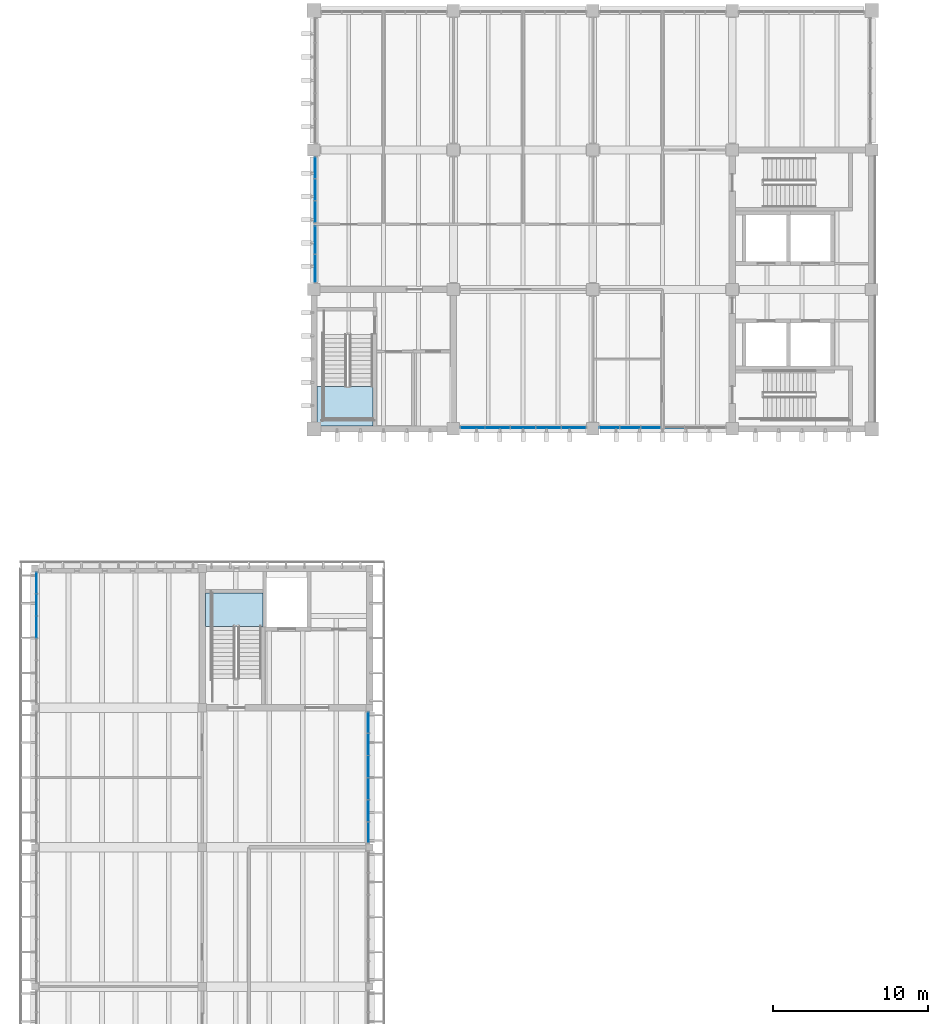
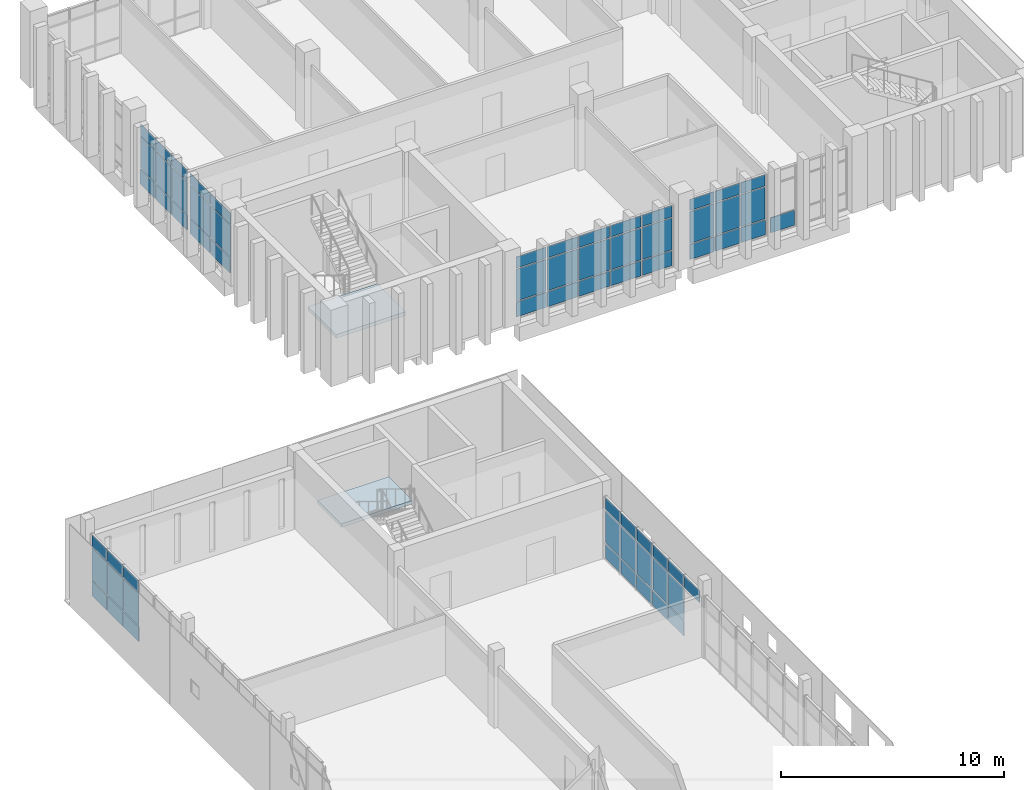
# One storey, part 26 of 50: 65 plates, 2 slabs, 9 elements without a shape of their own.
"""IFC4 building model written with IfcOpenShell, lengths in metres."""

from ifc_helpers import new_model, si_unit, direction, frame, origin, origin_2d, place, context, subcontext, project, spatial, polyline, rectangle, outline, extrude, material, layer, layer_set, type_object, element, aggregate, save


model = new_model("IFC4")

# Units and contexts
model_context = context("Model", 3, precision=1e-05, world=origin(), true_north=direction((0.0, 1.0)))
body_context = subcontext(model_context, "Body", "Model", "MODEL_VIEW")
ifc_project = project(units=[si_unit("LENGTHUNIT", "METRE"), si_unit("AREAUNIT", "SQUARE_METRE"), si_unit("VOLUMEUNIT", "CUBIC_METRE"), si_unit("PLANEANGLEUNIT", "RADIAN"), si_unit("MASSUNIT", "GRAM", prefix="KILO")], contexts=[model_context])

# Site, building, storey
site_placement = place(None, origin())
site = spatial("IfcSite", under=ifc_project, at=site_placement, CompositionType="ELEMENT")
building_placement = place(site_placement, origin())
building = spatial("IfcBuilding", under=site, at=building_placement, Name="Merrow Basin Faculty of Sciences", CompositionType="ELEMENT")
storey_placement = place(building_placement, frame((0.0, 0.0, 18.0)))
storey = spatial("IfcBuildingStorey", under=building, at=storey_placement, Name="L04", CompositionType="ELEMENT", Elevation=18.0)

# Curtain wall, plates
ifc_material_1 = material(Name="Aluminium alloy 6063", Category="aluminium")
curtain_wall_type_1 = type_object("IfcCurtainWallType", Name="Bar unitised curtain wall 180", PredefinedType="NOTDEFINED", material=ifc_material_1)
curtain_wall_1_placement = place(storey_placement, origin())
curtain_wall_1 = element("IfcCurtainWall", 1, at=curtain_wall_1_placement, inside=storey, type_object=curtain_wall_type_1, Name="West curtain wall L04 7", PredefinedType="NOTDEFINED")
ifc_material_2 = material(Name="Insulated aluminium spandrel panel", Category="aluminium")
ifc_layer_1 = layer(ifc_material_2, 0.052001953125)
ifc_layer_set_1 = layer_set([ifc_layer_1], Name="Insulated spandrel panel 52")
plate_type_1 = type_object("IfcPlateType", Name="Insulated spandrel panel 52", PredefinedType="CURTAIN_PANEL", material=ifc_layer_set_1)
plate_1_placement = place(storey_placement, frame((0.090087890625, 129.21240234375, 0.06005859375), z_axis=(0.0, 0.0, 1.0), x_axis=(0.0, 1.0, 0.0)))
plate_1 = element("IfcPlate", 2, at=plate_1_placement, type_object=plate_type_1, Name="CW1 panel 4.1", PredefinedType="CURTAIN_PANEL", context=body_context, shape_type="SweptSolid", body=[
    extrude(rectangle(XDim=1.364990234375, YDim=0.052001953125, at=origin_2d()), origin(), (0.0, 0.0, 1.0), 0.81005859375),
])
plate_2_placement = place(storey_placement, frame((0.090087890625, 130.637451171875, 0.06005859375), z_axis=(0.0, 0.0, 1.0), x_axis=(0.0, 1.0, 0.0)))
plate_2 = element("IfcPlate", 3, at=plate_2_placement, type_object=plate_type_1, Name="CW1 panel 5.1", PredefinedType="CURTAIN_PANEL", context=body_context, shape_type="SweptSolid", body=[
    extrude(rectangle(XDim=1.364990234375, YDim=0.052001953125, at=origin_2d()), origin(), (0.0, 0.0, 1.0), 0.81005859375),
])
plate_3_placement = place(storey_placement, frame((0.090087890625, 132.047607421875, 0.06005859375), z_axis=(0.0, 0.0, 1.0), x_axis=(0.0, 1.0, 0.0)))
plate_3 = element("IfcPlate", 4, at=plate_3_placement, type_object=plate_type_1, Name="CW1 panel 6.1", PredefinedType="CURTAIN_PANEL", context=body_context, shape_type="SweptSolid", body=[
    extrude(rectangle(XDim=1.3349609375, YDim=0.052001953125, at=origin_2d()), origin(), (0.0, 0.0, 1.0), 0.81005859375),
])

curtain_wall_2_placement = place(storey_placement, origin())
curtain_wall_2 = element("IfcCurtainWall", 5, at=curtain_wall_2_placement, inside=storey, type_object=curtain_wall_type_1, Name="East curtain wall L04 6", PredefinedType="NOTDEFINED")
plate_4_placement = place(storey_placement, frame((21.510009765625, 117.362548828125, 0.06005859375), z_axis=(0.0, 0.0, 1.0), x_axis=(0.0, 1.0, 0.0)))
plate_4 = element("IfcPlate", 6, at=plate_4_placement, type_object=plate_type_1, Name="CW1 panel 2.1", PredefinedType="CURTAIN_PANEL", context=body_context, shape_type="SweptSolid", body=[
    extrude(rectangle(XDim=1.364990234375, YDim=0.052001953125, at=origin_2d()), origin(), (0.0, 0.0, 1.0), 0.81005859375),
])
plate_5_placement = place(storey_placement, frame((21.510009765625, 118.78759765625, 0.06005859375), z_axis=(0.0, 0.0, 1.0), x_axis=(0.0, 1.0, 0.0)))
plate_5 = element("IfcPlate", 7, at=plate_5_placement, type_object=plate_type_1, Name="CW1 panel 3.1", PredefinedType="CURTAIN_PANEL", context=body_context, shape_type="SweptSolid", body=[
    extrude(rectangle(XDim=1.364990234375, YDim=0.052001953125, at=origin_2d()), origin(), (0.0, 0.0, 1.0), 0.81005859375),
])
plate_6_placement = place(storey_placement, frame((21.510009765625, 120.21240234375, 0.06005859375), z_axis=(0.0, 0.0, 1.0), x_axis=(0.0, 1.0, 0.0)))
plate_6 = element("IfcPlate", 8, at=plate_6_placement, type_object=plate_type_1, Name="CW1 panel 4.1", PredefinedType="CURTAIN_PANEL", context=body_context, shape_type="SweptSolid", body=[
    extrude(rectangle(XDim=1.364990234375, YDim=0.052001953125, at=origin_2d()), origin(), (0.0, 0.0, 1.0), 0.81005859375),
])
plate_7_placement = place(storey_placement, frame((21.510009765625, 121.637451171875, 0.06005859375), z_axis=(0.0, 0.0, 1.0), x_axis=(0.0, 1.0, 0.0)))
plate_7 = element("IfcPlate", 9, at=plate_7_placement, type_object=plate_type_1, Name="CW1 panel 5.1", PredefinedType="CURTAIN_PANEL", context=body_context, shape_type="SweptSolid", body=[
    extrude(rectangle(XDim=1.364990234375, YDim=0.052001953125, at=origin_2d()), origin(), (0.0, 0.0, 1.0), 0.81005859375),
])
plate_8_placement = place(storey_placement, frame((21.510009765625, 123.047607421875, 0.06005859375), z_axis=(0.0, 0.0, 1.0), x_axis=(0.0, 1.0, 0.0)))
plate_8 = element("IfcPlate", 10, at=plate_8_placement, type_object=plate_type_1, Name="CW1 panel 6.1", PredefinedType="CURTAIN_PANEL", context=body_context, shape_type="SweptSolid", body=[
    extrude(rectangle(XDim=1.3349609375, YDim=0.052001953125, at=origin_2d()), origin(), (0.0, 0.0, 1.0), 0.81005859375),
])

ifc_material_3 = material(Name="Aluminium alloy 6063", Category="aluminium")
curtain_wall_type_2 = type_object("IfcCurtainWallType", Name="Unitised curtain wall 160", PredefinedType="NOTDEFINED", material=ifc_material_3)
curtain_wall_3_placement = place(storey_placement, origin())
curtain_wall_3 = element("IfcCurtainWall", 11, at=curtain_wall_3_placement, inside=storey, type_object=curtain_wall_type_2, Name="W curtain wall L04 1", PredefinedType="NOTDEFINED")
plate_9_placement = place(storey_placement, frame((18.080078125, 152.34619140625, 0.06005859375), z_axis=(0.0, 0.0, 1.0), x_axis=(0.0, 1.0, 0.0)))
plate_9 = element("IfcPlate", 12, at=plate_9_placement, type_object=plate_type_1, Name="CW3 panel 1.1", PredefinedType="CURTAIN_PANEL", context=body_context, shape_type="SweptSolid", body=[
    extrude(rectangle(XDim=1.7724609375, YDim=0.052001953125, at=origin_2d()), origin(), (0.0, 0.0, 1.0), 0.81005859375),
])
plate_10_placement = place(storey_placement, frame((18.080078125, 154.1787109375, 0.06005859375), z_axis=(0.0, 0.0, 1.0), x_axis=(0.0, 1.0, 0.0)))
plate_10 = element("IfcPlate", 13, at=plate_10_placement, type_object=plate_type_1, Name="CW3 panel 2.1", PredefinedType="CURTAIN_PANEL", context=body_context, shape_type="SweptSolid", body=[
    extrude(rectangle(XDim=1.7724609375, YDim=0.052001953125, at=origin_2d()), origin(), (0.0, 0.0, 1.0), 0.81005859375),
])

curtain_wall_4_placement = place(storey_placement, origin())
curtain_wall_4 = element("IfcCurtainWall", 14, at=curtain_wall_4_placement, inside=storey, type_object=curtain_wall_type_2, Name="W curtain wall L04 2", PredefinedType="NOTDEFINED")
plate_11_placement = place(storey_placement, frame((18.080078125, 156.0107421875, 0.06005859375), z_axis=(0.0, 0.0, 1.0), x_axis=(0.0, 1.0, 0.0)))
plate_11 = element("IfcPlate", 15, at=plate_11_placement, type_object=plate_type_1, Name="CW3 panel 1.1", PredefinedType="CURTAIN_PANEL", context=body_context, shape_type="SweptSolid", body=[
    extrude(rectangle(XDim=1.3515625, YDim=0.052001953125, at=origin_2d()), origin(), (0.0, 0.0, 1.0), 0.81005859375),
])
plate_12_placement = place(storey_placement, frame((18.080078125, 157.4375, 0.06005859375), z_axis=(0.0, 0.0, 1.0), x_axis=(0.0, 1.0, 0.0)))
plate_12 = element("IfcPlate", 16, at=plate_12_placement, type_object=plate_type_1, Name="CW3 panel 2.1", PredefinedType="CURTAIN_PANEL", context=body_context, shape_type="SweptSolid", body=[
    extrude(rectangle(XDim=1.381591796875, YDim=0.052001953125, at=origin_2d()), origin(), (0.0, 0.0, 1.0), 0.81005859375),
])
plate_13_placement = place(storey_placement, frame((18.080078125, 158.8642578125, 0.06005859375), z_axis=(0.0, 0.0, 1.0), x_axis=(0.0, 1.0, 0.0)))
plate_13 = element("IfcPlate", 17, at=plate_13_placement, type_object=plate_type_1, Name="CW3 panel 3.1", PredefinedType="CURTAIN_PANEL", context=body_context, shape_type="SweptSolid", body=[
    extrude(rectangle(XDim=1.3515625, YDim=0.052001953125, at=origin_2d()), origin(), (0.0, 0.0, 1.0), 0.81005859375),
])

curtain_wall_5_placement = place(storey_placement, origin())
curtain_wall_5 = element("IfcCurtainWall", 18, at=curtain_wall_5_placement, inside=storey, type_object=curtain_wall_type_2, Name="S curtain wall L04 1", PredefinedType="NOTDEFINED")
plate_14_placement = place(storey_placement, frame((28.235107421875, 142.080078125, 0.06005859375), z_axis=(0.0, 0.0, 1.0), x_axis=(1.0, 0.0, 0.0)))
plate_14 = element("IfcPlate", 19, at=plate_14_placement, type_object=plate_type_1, Name="CW3 panel 1.1", PredefinedType="CURTAIN_PANEL", context=body_context, shape_type="SweptSolid", body=[
    extrude(rectangle(XDim=1.550048828125, YDim=0.052001953125, at=origin_2d()), origin(), (0.0, 0.0, 1.0), 0.81005859375),
])
plate_15_placement = place(storey_placement, frame((29.860107421875, 142.080078125, 0.06005859375), z_axis=(0.0, 0.0, 1.0), x_axis=(1.0, 0.0, 0.0)))
plate_15 = element("IfcPlate", 20, at=plate_15_placement, type_object=plate_type_1, Name="CW3 panel 2.1", PredefinedType="CURTAIN_PANEL", context=body_context, shape_type="SweptSolid", body=[
    extrude(rectangle(XDim=1.580078125, YDim=0.052001953125, at=origin_2d()), origin(), (0.0, 0.0, 1.0), 0.81005859375),
])
plate_16_placement = place(storey_placement, frame((31.5, 142.080078125, 0.06005859375), z_axis=(0.0, 0.0, 1.0), x_axis=(1.0, 0.0, 0.0)))
plate_16 = element("IfcPlate", 21, at=plate_16_placement, type_object=plate_type_1, Name="CW3 panel 3.1", PredefinedType="CURTAIN_PANEL", context=body_context, shape_type="SweptSolid", body=[
    extrude(rectangle(XDim=1.580078125, YDim=0.052001953125, at=origin_2d()), origin(), (0.0, 0.0, 1.0), 0.81005859375),
])
plate_17_placement = place(storey_placement, frame((33.139892578125, 142.080078125, 0.06005859375), z_axis=(0.0, 0.0, 1.0), x_axis=(1.0, 0.0, 0.0)))
plate_17 = element("IfcPlate", 22, at=plate_17_placement, type_object=plate_type_1, Name="CW3 panel 4.1", PredefinedType="CURTAIN_PANEL", context=body_context, shape_type="SweptSolid", body=[
    extrude(rectangle(XDim=1.580078125, YDim=0.052001953125, at=origin_2d()), origin(), (0.0, 0.0, 1.0), 0.81005859375),
])
plate_18_placement = place(storey_placement, frame((34.764892578125, 142.080078125, 0.06005859375), z_axis=(0.0, 0.0, 1.0), x_axis=(1.0, 0.0, 0.0)))
plate_18 = element("IfcPlate", 23, at=plate_18_placement, type_object=plate_type_1, Name="CW3 panel 5.1", PredefinedType="CURTAIN_PANEL", context=body_context, shape_type="SweptSolid", body=[
    extrude(rectangle(XDim=1.550048828125, YDim=0.052001953125, at=origin_2d()), origin(), (0.0, 0.0, 1.0), 0.81005859375),
])

curtain_wall_6_placement = place(storey_placement, origin())
curtain_wall_6 = element("IfcCurtainWall", 24, at=curtain_wall_6_placement, inside=storey, type_object=curtain_wall_type_2, Name="S curtain wall L04 2", PredefinedType="NOTDEFINED")
plate_19_placement = place(storey_placement, frame((37.0859375, 142.080078125, 0.06005859375), z_axis=(0.0, 0.0, 1.0), x_axis=(1.0, 0.0, 0.0)))
plate_19 = element("IfcPlate", 25, at=plate_19_placement, type_object=plate_type_1, Name="CW3 panel 1.1", PredefinedType="CURTAIN_PANEL", context=body_context, shape_type="SweptSolid", body=[
    extrude(rectangle(XDim=1.251708984375, YDim=0.052001953125, at=origin_2d()), origin(), (0.0, 0.0, 1.0), 0.81005859375),
])
plate_20_placement = place(storey_placement, frame((38.41259765625, 142.080078125, 0.06005859375), z_axis=(0.0, 0.0, 1.0), x_axis=(1.0, 0.0, 0.0)))
plate_20 = element("IfcPlate", 26, at=plate_20_placement, type_object=plate_type_1, Name="CW3 panel 2.1", PredefinedType="CURTAIN_PANEL", context=body_context, shape_type="SweptSolid", body=[
    extrude(rectangle(XDim=1.28173828125, YDim=0.052001953125, at=origin_2d()), origin(), (0.0, 0.0, 1.0), 0.81005859375),
])
plate_21_placement = place(storey_placement, frame((39.7392578125, 142.080078125, 0.06005859375), z_axis=(0.0, 0.0, 1.0), x_axis=(1.0, 0.0, 0.0)))
plate_21 = element("IfcPlate", 27, at=plate_21_placement, type_object=plate_type_1, Name="CW3 panel 3.1", PredefinedType="CURTAIN_PANEL", context=body_context, shape_type="SweptSolid", body=[
    extrude(rectangle(XDim=1.251708984375, YDim=0.052001953125, at=origin_2d()), origin(), (0.0, 0.0, 1.0), 0.81005859375),
])

# Curtain wall, plate
curtain_wall_7_placement = place(storey_placement, origin())
curtain_wall_7 = element("IfcCurtainWall", 28, at=curtain_wall_7_placement, inside=storey, type_object=curtain_wall_type_2, Name="S curtain wall L04 3", PredefinedType="NOTDEFINED")
plate_22_placement = place(storey_placement, frame((41.2607421875, 142.080078125, 0.06005859375), z_axis=(0.0, 0.0, 1.0), x_axis=(1.0, 0.0, 0.0)))
plate_22 = element("IfcPlate", 29, at=plate_22_placement, type_object=plate_type_1, Name="CW3 panel 1.1", PredefinedType="CURTAIN_PANEL", context=body_context, shape_type="SweptSolid", body=[
    extrude(rectangle(XDim=1.251708984375, YDim=0.052001953125, at=origin_2d()), origin(), (0.0, 0.0, 1.0), 0.81005859375),
])
aggregate(curtain_wall_7, [plate_22])

# Plate
ifc_material_4 = material(Name="Low-E double glazing", Category="glass")
ifc_layer_2 = layer(ifc_material_4, 0.028076171875)
ifc_layer_set_2 = layer_set([ifc_layer_2], Name="Low-E double glazed panel 28")
plate_type_2 = type_object("IfcPlateType", Name="Low-E double glazed panel 28", PredefinedType="CURTAIN_PANEL", material=ifc_layer_set_2)
plate_23_placement = place(storey_placement, frame((0.090087890625, 129.21240234375, 0.93017578125), z_axis=(0.0, 0.0, 1.0), x_axis=(0.0, 1.0, 0.0)))
plate_23 = element("IfcPlate", 30, at=plate_23_placement, type_object=plate_type_2, Name="CW1 panel 4.2", PredefinedType="CURTAIN_PANEL", context=body_context, shape_type="SweptSolid", body=[
    extrude(rectangle(XDim=1.364990234375, YDim=0.028076171875, at=origin_2d()), origin(), (0.0, 0.0, 1.0), 1.739990234375),
])

plate_24_placement = place(storey_placement, frame((0.090087890625, 129.21240234375, 2.72998046875), z_axis=(0.0, 0.0, 1.0), x_axis=(0.0, 1.0, 0.0)))
plate_24 = element("IfcPlate", 31, at=plate_24_placement, type_object=plate_type_2, Name="CW1 panel 4.3", PredefinedType="CURTAIN_PANEL", context=body_context, shape_type="SweptSolid", body=[
    extrude(rectangle(XDim=1.364990234375, YDim=0.028076171875, at=origin_2d()), origin(), (0.0, 0.0, 1.0), 0.659912109375),
])

plate_25_placement = place(storey_placement, frame((0.090087890625, 130.637451171875, 0.93017578125), z_axis=(0.0, 0.0, 1.0), x_axis=(0.0, 1.0, 0.0)))
plate_25 = element("IfcPlate", 32, at=plate_25_placement, type_object=plate_type_2, Name="CW1 panel 5.2", PredefinedType="CURTAIN_PANEL", context=body_context, shape_type="SweptSolid", body=[
    extrude(rectangle(XDim=1.364990234375, YDim=0.028076171875, at=origin_2d()), origin(), (0.0, 0.0, 1.0), 1.739990234375),
])

plate_26_placement = place(storey_placement, frame((0.090087890625, 130.637451171875, 2.72998046875), z_axis=(0.0, 0.0, 1.0), x_axis=(0.0, 1.0, 0.0)))
plate_26 = element("IfcPlate", 33, at=plate_26_placement, type_object=plate_type_2, Name="CW1 panel 5.3", PredefinedType="CURTAIN_PANEL", context=body_context, shape_type="SweptSolid", body=[
    extrude(rectangle(XDim=1.364990234375, YDim=0.028076171875, at=origin_2d()), origin(), (0.0, 0.0, 1.0), 0.659912109375),
])

plate_27_placement = place(storey_placement, frame((0.090087890625, 132.047607421875, 0.93017578125), z_axis=(0.0, 0.0, 1.0), x_axis=(0.0, 1.0, 0.0)))
plate_27 = element("IfcPlate", 34, at=plate_27_placement, type_object=plate_type_2, Name="CW1 panel 6.2", PredefinedType="CURTAIN_PANEL", context=body_context, shape_type="SweptSolid", body=[
    extrude(rectangle(XDim=1.3349609375, YDim=0.028076171875, at=origin_2d()), origin(), (0.0, 0.0, 1.0), 1.739990234375),
])

plate_28_placement = place(storey_placement, frame((0.090087890625, 132.047607421875, 2.72998046875), z_axis=(0.0, 0.0, 1.0), x_axis=(0.0, 1.0, 0.0)))
plate_28 = element("IfcPlate", 35, at=plate_28_placement, type_object=plate_type_2, Name="CW1 panel 6.3", PredefinedType="CURTAIN_PANEL", context=body_context, shape_type="SweptSolid", body=[
    extrude(rectangle(XDim=1.3349609375, YDim=0.028076171875, at=origin_2d()), origin(), (0.0, 0.0, 1.0), 0.659912109375),
])

aggregate(curtain_wall_1, [plate_1, plate_23, plate_24, plate_2, plate_25, plate_26, plate_3, plate_27, plate_28])

plate_29_placement = place(storey_placement, frame((21.510009765625, 115.952392578125, 2.72998046875), z_axis=(0.0, 0.0, 1.0), x_axis=(0.0, 1.0, 0.0)))
plate_29 = element("IfcPlate", 36, at=plate_29_placement, type_object=plate_type_2, Name="CW1 panel 1.3", PredefinedType="CURTAIN_PANEL", context=body_context, shape_type="SweptSolid", body=[
    extrude(rectangle(XDim=1.3349609375, YDim=0.028076171875, at=origin_2d()), origin(), (0.0, 0.0, 1.0), 0.659912109375),
])

plate_30_placement = place(storey_placement, frame((21.510009765625, 117.362548828125, 0.93017578125), z_axis=(0.0, 0.0, 1.0), x_axis=(0.0, 1.0, 0.0)))
plate_30 = element("IfcPlate", 37, at=plate_30_placement, type_object=plate_type_2, Name="CW1 panel 2.2", PredefinedType="CURTAIN_PANEL", context=body_context, shape_type="SweptSolid", body=[
    extrude(rectangle(XDim=1.364990234375, YDim=0.028076171875, at=origin_2d()), origin(), (0.0, 0.0, 1.0), 1.739990234375),
])

plate_31_placement = place(storey_placement, frame((21.510009765625, 117.362548828125, 2.72998046875), z_axis=(0.0, 0.0, 1.0), x_axis=(0.0, 1.0, 0.0)))
plate_31 = element("IfcPlate", 38, at=plate_31_placement, type_object=plate_type_2, Name="CW1 panel 2.3", PredefinedType="CURTAIN_PANEL", context=body_context, shape_type="SweptSolid", body=[
    extrude(rectangle(XDim=1.364990234375, YDim=0.028076171875, at=origin_2d()), origin(), (0.0, 0.0, 1.0), 0.659912109375),
])

plate_32_placement = place(storey_placement, frame((21.510009765625, 118.78759765625, 0.93017578125), z_axis=(0.0, 0.0, 1.0), x_axis=(0.0, 1.0, 0.0)))
plate_32 = element("IfcPlate", 39, at=plate_32_placement, type_object=plate_type_2, Name="CW1 panel 3.2", PredefinedType="CURTAIN_PANEL", context=body_context, shape_type="SweptSolid", body=[
    extrude(rectangle(XDim=1.364990234375, YDim=0.028076171875, at=origin_2d()), origin(), (0.0, 0.0, 1.0), 1.739990234375),
])

plate_33_placement = place(storey_placement, frame((21.510009765625, 118.78759765625, 2.72998046875), z_axis=(0.0, 0.0, 1.0), x_axis=(0.0, 1.0, 0.0)))
plate_33 = element("IfcPlate", 40, at=plate_33_placement, type_object=plate_type_2, Name="CW1 panel 3.3", PredefinedType="CURTAIN_PANEL", context=body_context, shape_type="SweptSolid", body=[
    extrude(rectangle(XDim=1.364990234375, YDim=0.028076171875, at=origin_2d()), origin(), (0.0, 0.0, 1.0), 0.659912109375),
])

plate_34_placement = place(storey_placement, frame((21.510009765625, 120.21240234375, 0.93017578125), z_axis=(0.0, 0.0, 1.0), x_axis=(0.0, 1.0, 0.0)))
plate_34 = element("IfcPlate", 41, at=plate_34_placement, type_object=plate_type_2, Name="CW1 panel 4.2", PredefinedType="CURTAIN_PANEL", context=body_context, shape_type="SweptSolid", body=[
    extrude(rectangle(XDim=1.364990234375, YDim=0.028076171875, at=origin_2d()), origin(), (0.0, 0.0, 1.0), 1.739990234375),
])

plate_35_placement = place(storey_placement, frame((21.510009765625, 120.21240234375, 2.72998046875), z_axis=(0.0, 0.0, 1.0), x_axis=(0.0, 1.0, 0.0)))
plate_35 = element("IfcPlate", 42, at=plate_35_placement, type_object=plate_type_2, Name="CW1 panel 4.3", PredefinedType="CURTAIN_PANEL", context=body_context, shape_type="SweptSolid", body=[
    extrude(rectangle(XDim=1.364990234375, YDim=0.028076171875, at=origin_2d()), origin(), (0.0, 0.0, 1.0), 0.659912109375),
])

plate_36_placement = place(storey_placement, frame((21.510009765625, 121.637451171875, 0.93017578125), z_axis=(0.0, 0.0, 1.0), x_axis=(0.0, 1.0, 0.0)))
plate_36 = element("IfcPlate", 43, at=plate_36_placement, type_object=plate_type_2, Name="CW1 panel 5.2", PredefinedType="CURTAIN_PANEL", context=body_context, shape_type="SweptSolid", body=[
    extrude(rectangle(XDim=1.364990234375, YDim=0.028076171875, at=origin_2d()), origin(), (0.0, 0.0, 1.0), 1.739990234375),
])

plate_37_placement = place(storey_placement, frame((21.510009765625, 121.637451171875, 2.72998046875), z_axis=(0.0, 0.0, 1.0), x_axis=(0.0, 1.0, 0.0)))
plate_37 = element("IfcPlate", 44, at=plate_37_placement, type_object=plate_type_2, Name="CW1 panel 5.3", PredefinedType="CURTAIN_PANEL", context=body_context, shape_type="SweptSolid", body=[
    extrude(rectangle(XDim=1.364990234375, YDim=0.028076171875, at=origin_2d()), origin(), (0.0, 0.0, 1.0), 0.659912109375),
])

plate_38_placement = place(storey_placement, frame((21.510009765625, 123.047607421875, 0.93017578125), z_axis=(0.0, 0.0, 1.0), x_axis=(0.0, 1.0, 0.0)))
plate_38 = element("IfcPlate", 45, at=plate_38_placement, type_object=plate_type_2, Name="CW1 panel 6.2", PredefinedType="CURTAIN_PANEL", context=body_context, shape_type="SweptSolid", body=[
    extrude(rectangle(XDim=1.3349609375, YDim=0.028076171875, at=origin_2d()), origin(), (0.0, 0.0, 1.0), 1.739990234375),
])

plate_39_placement = place(storey_placement, frame((21.510009765625, 123.047607421875, 2.72998046875), z_axis=(0.0, 0.0, 1.0), x_axis=(0.0, 1.0, 0.0)))
plate_39 = element("IfcPlate", 46, at=plate_39_placement, type_object=plate_type_2, Name="CW1 panel 6.3", PredefinedType="CURTAIN_PANEL", context=body_context, shape_type="SweptSolid", body=[
    extrude(rectangle(XDim=1.3349609375, YDim=0.028076171875, at=origin_2d()), origin(), (0.0, 0.0, 1.0), 0.659912109375),
])

aggregate(curtain_wall_2, [plate_29, plate_4, plate_30, plate_31, plate_5, plate_32, plate_33, plate_6, plate_34, plate_35, plate_7, plate_36, plate_37, plate_8, plate_38, plate_39])

plate_40_placement = place(storey_placement, frame((18.080078125, 152.34619140625, 0.93017578125), z_axis=(0.0, 0.0, 1.0), x_axis=(0.0, 1.0, 0.0)))
plate_40 = element("IfcPlate", 47, at=plate_40_placement, type_object=plate_type_2, Name="CW3 panel 1.2", PredefinedType="CURTAIN_PANEL", context=body_context, shape_type="SweptSolid", body=[
    extrude(rectangle(XDim=1.7724609375, YDim=0.028076171875, at=origin_2d()), origin(), (0.0, 0.0, 1.0), 1.739990234375),
])

plate_41_placement = place(storey_placement, frame((18.080078125, 152.34619140625, 2.72998046875), z_axis=(0.0, 0.0, 1.0), x_axis=(0.0, 1.0, 0.0)))
plate_41 = element("IfcPlate", 48, at=plate_41_placement, type_object=plate_type_2, Name="CW3 panel 1.3", PredefinedType="CURTAIN_PANEL", context=body_context, shape_type="SweptSolid", body=[
    extrude(rectangle(XDim=1.7724609375, YDim=0.028076171875, at=origin_2d()), origin(), (0.0, 0.0, 1.0), 0.610107421875),
])

plate_42_placement = place(storey_placement, frame((18.080078125, 154.1787109375, 0.93017578125), z_axis=(0.0, 0.0, 1.0), x_axis=(0.0, 1.0, 0.0)))
plate_42 = element("IfcPlate", 49, at=plate_42_placement, type_object=plate_type_2, Name="CW3 panel 2.2", PredefinedType="CURTAIN_PANEL", context=body_context, shape_type="SweptSolid", body=[
    extrude(rectangle(XDim=1.7724609375, YDim=0.028076171875, at=origin_2d()), origin(), (0.0, 0.0, 1.0), 1.739990234375),
])

plate_43_placement = place(storey_placement, frame((18.080078125, 154.1787109375, 2.72998046875), z_axis=(0.0, 0.0, 1.0), x_axis=(0.0, 1.0, 0.0)))
plate_43 = element("IfcPlate", 50, at=plate_43_placement, type_object=plate_type_2, Name="CW3 panel 2.3", PredefinedType="CURTAIN_PANEL", context=body_context, shape_type="SweptSolid", body=[
    extrude(rectangle(XDim=1.7724609375, YDim=0.028076171875, at=origin_2d()), origin(), (0.0, 0.0, 1.0), 0.610107421875),
])

aggregate(curtain_wall_3, [plate_9, plate_40, plate_41, plate_10, plate_42, plate_43])

plate_44_placement = place(storey_placement, frame((18.080078125, 156.0107421875, 0.93017578125), z_axis=(0.0, 0.0, 1.0), x_axis=(0.0, 1.0, 0.0)))
plate_44 = element("IfcPlate", 51, at=plate_44_placement, type_object=plate_type_2, Name="CW3 panel 1.2", PredefinedType="CURTAIN_PANEL", context=body_context, shape_type="SweptSolid", body=[
    extrude(rectangle(XDim=1.3515625, YDim=0.028076171875, at=origin_2d()), origin(), (0.0, 0.0, 1.0), 1.739990234375),
])

plate_45_placement = place(storey_placement, frame((18.080078125, 156.0107421875, 2.72998046875), z_axis=(0.0, 0.0, 1.0), x_axis=(0.0, 1.0, 0.0)))
plate_45 = element("IfcPlate", 52, at=plate_45_placement, type_object=plate_type_2, Name="CW3 panel 1.3", PredefinedType="CURTAIN_PANEL", context=body_context, shape_type="SweptSolid", body=[
    extrude(rectangle(XDim=1.3515625, YDim=0.028076171875, at=origin_2d()), origin(), (0.0, 0.0, 1.0), 0.610107421875),
])

plate_46_placement = place(storey_placement, frame((18.080078125, 157.4375, 0.93017578125), z_axis=(0.0, 0.0, 1.0), x_axis=(0.0, 1.0, 0.0)))
plate_46 = element("IfcPlate", 53, at=plate_46_placement, type_object=plate_type_2, Name="CW3 panel 2.2", PredefinedType="CURTAIN_PANEL", context=body_context, shape_type="SweptSolid", body=[
    extrude(rectangle(XDim=1.381591796875, YDim=0.028076171875, at=origin_2d()), origin(), (0.0, 0.0, 1.0), 1.739990234375),
])

plate_47_placement = place(storey_placement, frame((18.080078125, 157.4375, 2.72998046875), z_axis=(0.0, 0.0, 1.0), x_axis=(0.0, 1.0, 0.0)))
plate_47 = element("IfcPlate", 54, at=plate_47_placement, type_object=plate_type_2, Name="CW3 panel 2.3", PredefinedType="CURTAIN_PANEL", context=body_context, shape_type="SweptSolid", body=[
    extrude(rectangle(XDim=1.381591796875, YDim=0.028076171875, at=origin_2d()), origin(), (0.0, 0.0, 1.0), 0.610107421875),
])

plate_48_placement = place(storey_placement, frame((18.080078125, 158.8642578125, 0.93017578125), z_axis=(0.0, 0.0, 1.0), x_axis=(0.0, 1.0, 0.0)))
plate_48 = element("IfcPlate", 55, at=plate_48_placement, type_object=plate_type_2, Name="CW3 panel 3.2", PredefinedType="CURTAIN_PANEL", context=body_context, shape_type="SweptSolid", body=[
    extrude(rectangle(XDim=1.3515625, YDim=0.028076171875, at=origin_2d()), origin(), (0.0, 0.0, 1.0), 1.739990234375),
])

plate_49_placement = place(storey_placement, frame((18.080078125, 158.8642578125, 2.72998046875), z_axis=(0.0, 0.0, 1.0), x_axis=(0.0, 1.0, 0.0)))
plate_49 = element("IfcPlate", 56, at=plate_49_placement, type_object=plate_type_2, Name="CW3 panel 3.3", PredefinedType="CURTAIN_PANEL", context=body_context, shape_type="SweptSolid", body=[
    extrude(rectangle(XDim=1.3515625, YDim=0.028076171875, at=origin_2d()), origin(), (0.0, 0.0, 1.0), 0.610107421875),
])

aggregate(curtain_wall_4, [plate_11, plate_44, plate_45, plate_12, plate_46, plate_47, plate_13, plate_48, plate_49])

plate_50_placement = place(storey_placement, frame((28.235107421875, 142.080078125, 0.93017578125), z_axis=(0.0, 0.0, 1.0), x_axis=(1.0, 0.0, 0.0)))
plate_50 = element("IfcPlate", 57, at=plate_50_placement, type_object=plate_type_2, Name="CW3 panel 1.2", PredefinedType="CURTAIN_PANEL", context=body_context, shape_type="SweptSolid", body=[
    extrude(rectangle(XDim=1.550048828125, YDim=0.028076171875, at=origin_2d()), origin(), (0.0, 0.0, 1.0), 1.739990234375),
])

plate_51_placement = place(storey_placement, frame((28.235107421875, 142.080078125, 2.72998046875), z_axis=(0.0, 0.0, 1.0), x_axis=(1.0, 0.0, 0.0)))
plate_51 = element("IfcPlate", 58, at=plate_51_placement, type_object=plate_type_2, Name="CW3 panel 1.3", PredefinedType="CURTAIN_PANEL", context=body_context, shape_type="SweptSolid", body=[
    extrude(rectangle(XDim=1.550048828125, YDim=0.028076171875, at=origin_2d()), origin(), (0.0, 0.0, 1.0), 0.610107421875),
])

plate_52_placement = place(storey_placement, frame((29.860107421875, 142.080078125, 0.93017578125), z_axis=(0.0, 0.0, 1.0), x_axis=(1.0, 0.0, 0.0)))
plate_52 = element("IfcPlate", 59, at=plate_52_placement, type_object=plate_type_2, Name="CW3 panel 2.2", PredefinedType="CURTAIN_PANEL", context=body_context, shape_type="SweptSolid", body=[
    extrude(rectangle(XDim=1.580078125, YDim=0.028076171875, at=origin_2d()), origin(), (0.0, 0.0, 1.0), 1.739990234375),
])

plate_53_placement = place(storey_placement, frame((29.860107421875, 142.080078125, 2.72998046875), z_axis=(0.0, 0.0, 1.0), x_axis=(1.0, 0.0, 0.0)))
plate_53 = element("IfcPlate", 60, at=plate_53_placement, type_object=plate_type_2, Name="CW3 panel 2.3", PredefinedType="CURTAIN_PANEL", context=body_context, shape_type="SweptSolid", body=[
    extrude(rectangle(XDim=1.580078125, YDim=0.028076171875, at=origin_2d()), origin(), (0.0, 0.0, 1.0), 0.610107421875),
])

plate_54_placement = place(storey_placement, frame((31.5, 142.080078125, 0.93017578125), z_axis=(0.0, 0.0, 1.0), x_axis=(1.0, 0.0, 0.0)))
plate_54 = element("IfcPlate", 61, at=plate_54_placement, type_object=plate_type_2, Name="CW3 panel 3.2", PredefinedType="CURTAIN_PANEL", context=body_context, shape_type="SweptSolid", body=[
    extrude(rectangle(XDim=1.580078125, YDim=0.028076171875, at=origin_2d()), origin(), (0.0, 0.0, 1.0), 1.739990234375),
])

plate_55_placement = place(storey_placement, frame((31.5, 142.080078125, 2.72998046875), z_axis=(0.0, 0.0, 1.0), x_axis=(1.0, 0.0, 0.0)))
plate_55 = element("IfcPlate", 62, at=plate_55_placement, type_object=plate_type_2, Name="CW3 panel 3.3", PredefinedType="CURTAIN_PANEL", context=body_context, shape_type="SweptSolid", body=[
    extrude(rectangle(XDim=1.580078125, YDim=0.028076171875, at=origin_2d()), origin(), (0.0, 0.0, 1.0), 0.610107421875),
])

plate_56_placement = place(storey_placement, frame((33.139892578125, 142.080078125, 0.93017578125), z_axis=(0.0, 0.0, 1.0), x_axis=(1.0, 0.0, 0.0)))
plate_56 = element("IfcPlate", 63, at=plate_56_placement, type_object=plate_type_2, Name="CW3 panel 4.2", PredefinedType="CURTAIN_PANEL", context=body_context, shape_type="SweptSolid", body=[
    extrude(rectangle(XDim=1.580078125, YDim=0.028076171875, at=origin_2d()), origin(), (0.0, 0.0, 1.0), 1.739990234375),
])

plate_57_placement = place(storey_placement, frame((33.139892578125, 142.080078125, 2.72998046875), z_axis=(0.0, 0.0, 1.0), x_axis=(1.0, 0.0, 0.0)))
plate_57 = element("IfcPlate", 64, at=plate_57_placement, type_object=plate_type_2, Name="CW3 panel 4.3", PredefinedType="CURTAIN_PANEL", context=body_context, shape_type="SweptSolid", body=[
    extrude(rectangle(XDim=1.580078125, YDim=0.028076171875, at=origin_2d()), origin(), (0.0, 0.0, 1.0), 0.610107421875),
])

plate_58_placement = place(storey_placement, frame((34.764892578125, 142.080078125, 0.93017578125), z_axis=(0.0, 0.0, 1.0), x_axis=(1.0, 0.0, 0.0)))
plate_58 = element("IfcPlate", 65, at=plate_58_placement, type_object=plate_type_2, Name="CW3 panel 5.2", PredefinedType="CURTAIN_PANEL", context=body_context, shape_type="SweptSolid", body=[
    extrude(rectangle(XDim=1.550048828125, YDim=0.028076171875, at=origin_2d()), origin(), (0.0, 0.0, 1.0), 1.739990234375),
])

plate_59_placement = place(storey_placement, frame((34.764892578125, 142.080078125, 2.72998046875), z_axis=(0.0, 0.0, 1.0), x_axis=(1.0, 0.0, 0.0)))
plate_59 = element("IfcPlate", 66, at=plate_59_placement, type_object=plate_type_2, Name="CW3 panel 5.3", PredefinedType="CURTAIN_PANEL", context=body_context, shape_type="SweptSolid", body=[
    extrude(rectangle(XDim=1.550048828125, YDim=0.028076171875, at=origin_2d()), origin(), (0.0, 0.0, 1.0), 0.610107421875),
])

aggregate(curtain_wall_5, [plate_14, plate_50, plate_51, plate_15, plate_52, plate_53, plate_16, plate_54, plate_55, plate_17, plate_56, plate_57, plate_18, plate_58, plate_59])

plate_60_placement = place(storey_placement, frame((37.0859375, 142.080078125, 0.93017578125), z_axis=(0.0, 0.0, 1.0), x_axis=(1.0, 0.0, 0.0)))
plate_60 = element("IfcPlate", 67, at=plate_60_placement, type_object=plate_type_2, Name="CW3 panel 1.2", PredefinedType="CURTAIN_PANEL", context=body_context, shape_type="SweptSolid", body=[
    extrude(rectangle(XDim=1.251708984375, YDim=0.028076171875, at=origin_2d()), origin(), (0.0, 0.0, 1.0), 1.739990234375),
])

plate_61_placement = place(storey_placement, frame((37.0859375, 142.080078125, 2.72998046875), z_axis=(0.0, 0.0, 1.0), x_axis=(1.0, 0.0, 0.0)))
plate_61 = element("IfcPlate", 68, at=plate_61_placement, type_object=plate_type_2, Name="CW3 panel 1.3", PredefinedType="CURTAIN_PANEL", context=body_context, shape_type="SweptSolid", body=[
    extrude(rectangle(XDim=1.251708984375, YDim=0.028076171875, at=origin_2d()), origin(), (0.0, 0.0, 1.0), 0.610107421875),
])

plate_62_placement = place(storey_placement, frame((38.41259765625, 142.080078125, 0.93017578125), z_axis=(0.0, 0.0, 1.0), x_axis=(1.0, 0.0, 0.0)))
plate_62 = element("IfcPlate", 69, at=plate_62_placement, type_object=plate_type_2, Name="CW3 panel 2.2", PredefinedType="CURTAIN_PANEL", context=body_context, shape_type="SweptSolid", body=[
    extrude(rectangle(XDim=1.28173828125, YDim=0.028076171875, at=origin_2d()), origin(), (0.0, 0.0, 1.0), 1.739990234375),
])

plate_63_placement = place(storey_placement, frame((38.41259765625, 142.080078125, 2.72998046875), z_axis=(0.0, 0.0, 1.0), x_axis=(1.0, 0.0, 0.0)))
plate_63 = element("IfcPlate", 70, at=plate_63_placement, type_object=plate_type_2, Name="CW3 panel 2.3", PredefinedType="CURTAIN_PANEL", context=body_context, shape_type="SweptSolid", body=[
    extrude(rectangle(XDim=1.28173828125, YDim=0.028076171875, at=origin_2d()), origin(), (0.0, 0.0, 1.0), 0.610107421875),
])

plate_64_placement = place(storey_placement, frame((39.7392578125, 142.080078125, 0.93017578125), z_axis=(0.0, 0.0, 1.0), x_axis=(1.0, 0.0, 0.0)))
plate_64 = element("IfcPlate", 71, at=plate_64_placement, type_object=plate_type_2, Name="CW3 panel 3.2", PredefinedType="CURTAIN_PANEL", context=body_context, shape_type="SweptSolid", body=[
    extrude(rectangle(XDim=1.251708984375, YDim=0.028076171875, at=origin_2d()), origin(), (0.0, 0.0, 1.0), 1.739990234375),
])

plate_65_placement = place(storey_placement, frame((39.7392578125, 142.080078125, 2.72998046875), z_axis=(0.0, 0.0, 1.0), x_axis=(1.0, 0.0, 0.0)))
plate_65 = element("IfcPlate", 72, at=plate_65_placement, type_object=plate_type_2, Name="CW3 panel 3.3", PredefinedType="CURTAIN_PANEL", context=body_context, shape_type="SweptSolid", body=[
    extrude(rectangle(XDim=1.251708984375, YDim=0.028076171875, at=origin_2d()), origin(), (0.0, 0.0, 1.0), 0.610107421875),
])

aggregate(curtain_wall_6, [plate_19, plate_60, plate_61, plate_20, plate_62, plate_63, plate_21, plate_64, plate_65])

# Stair, slab
ifc_material_5 = material(Name="Concrete C40/50", Category="concrete")
stair_type = type_object("IfcStairType", Name="Concrete dog-leg stair Concrete C40/50", PredefinedType="HALF_TURN_STAIR", material=ifc_material_5)
stair_1_placement = place(storey_placement, origin())
stair_1 = element("IfcStair", 73, at=stair_1_placement, inside=storey, type_object=stair_type, Name="L04 Exit stair N", PredefinedType="HALF_TURN_STAIR")
ifc_material_6 = material(Name="Concrete C40/50", Category="concrete")
ifc_layer_3 = layer(ifc_material_6, 0.199951171875)
ifc_layer_set_3 = layer_set([ifc_layer_3], Name="Stair landing 200 Concrete C40/50")
slab_type = type_object("IfcSlabType", Name="Stair landing 200 Concrete C40/50", PredefinedType="LANDING", material=ifc_layer_set_3)
slab_1_placement = place(storey_placement, frame((0.0, 0.0, 2.050048828125)))
slab_1 = element("IfcSlab", 74, at=slab_1_placement, type_object=slab_type, Name="ST-V4-N landing 1", PredefinedType="LANDING", context=body_context, shape_type="SweptSolid", body=[
    extrude(outline(polyline([(11.0, 129.260009765625), (14.699951171875, 129.260009765625), (14.699951171875, 131.39990234375), (11.0, 131.39990234375), (11.0, 129.260009765625)])), origin(), (0.0, 0.0, 1.0), 0.199951171875),
])
aggregate(stair_1, [slab_1])

stair_2_placement = place(storey_placement, origin())
stair_2 = element("IfcStair", 75, at=stair_2_placement, inside=storey, type_object=stair_type, Name="L04 Exit stair W", PredefinedType="HALF_TURN_STAIR")
slab_2_placement = place(storey_placement, frame((0.0, 0.0, 2.050048828125)))
slab_2 = element("IfcSlab", 76, at=slab_2_placement, type_object=slab_type, Name="ST-V5-W landing 1", PredefinedType="LANDING", context=body_context, shape_type="SweptSolid", body=[
    extrude(outline(polyline([(18.199951171875, 142.199951171875), (21.800048828125, 142.199951171875), (21.800048828125, 144.739990234375), (18.199951171875, 144.739990234375), (18.199951171875, 142.199951171875)])), origin(), (0.0, 0.0, 1.0), 0.199951171875),
])
aggregate(stair_2, [slab_2])

save(model, "model.ifc")
